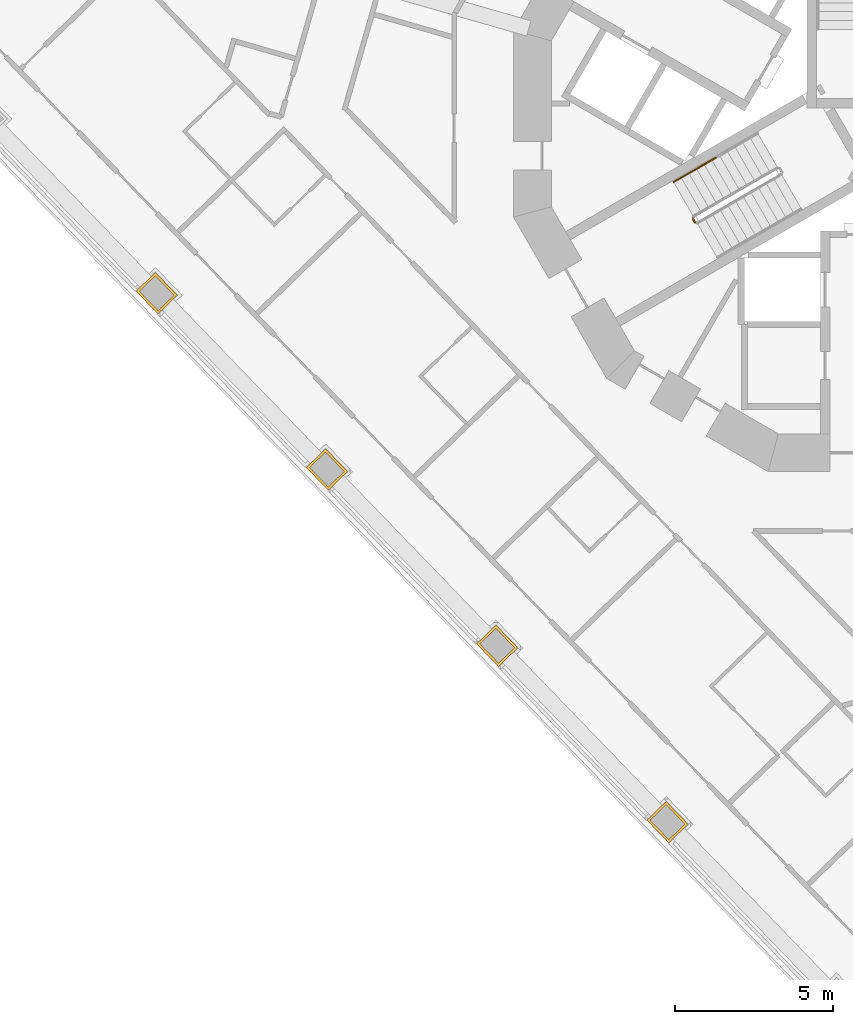
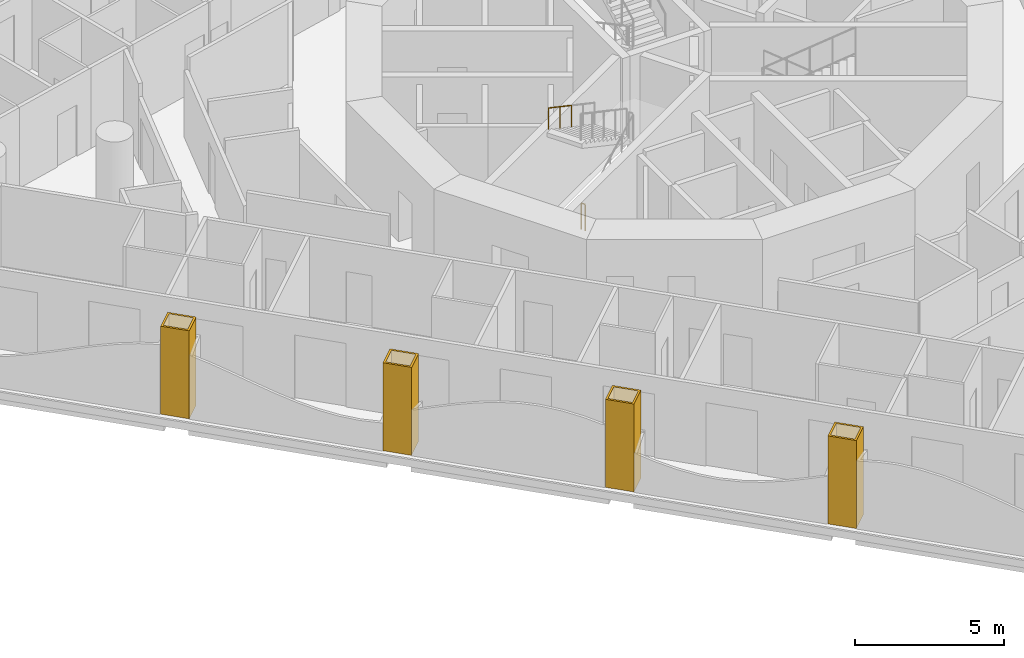
# One storey, part 13 of 20: 4 coverings, 2 railings.
"""IFC4 building model written with IfcOpenShell, lengths in metres."""

from ifc_helpers import new_model, si_unit, direction, frame, origin, origin_2d, place, context, subcontext, project, spatial, polyline, circle, outline, extrude, material, layer, layer_set, type_object, element, save


model = new_model("IFC4")

# Units and contexts
model_context = context("Model", 3, precision=1e-05, world=origin(), true_north=direction((0.0, 1.0)))
body_context = subcontext(model_context, "Body", "Model", "MODEL_VIEW")
ifc_project = project(units=[si_unit("LENGTHUNIT", "METRE"), si_unit("AREAUNIT", "SQUARE_METRE"), si_unit("VOLUMEUNIT", "CUBIC_METRE"), si_unit("PLANEANGLEUNIT", "RADIAN"), si_unit("MASSUNIT", "GRAM", prefix="KILO")], contexts=[model_context])

# Site, building, storey
site_placement = place(None, origin())
site = spatial("IfcSite", under=ifc_project, at=site_placement, CompositionType="ELEMENT")
building_placement = place(site_placement, origin())
building = spatial("IfcBuilding", under=site, at=building_placement, Name="Trine Commons Tower", CompositionType="ELEMENT")
storey_placement = place(building_placement, frame((0.0, 0.0, 112.5)))
storey = spatial("IfcBuildingStorey", under=building, at=storey_placement, Name="L28", CompositionType="ELEMENT", Elevation=112.5)

# Coverings
ifc_material_1 = material(Name="Limestone, honed", Category="masonry")
ifc_layer = layer(ifc_material_1, 0.074951171875)
ifc_layer_set = layer_set([ifc_layer], Name="Limestone, honed")
covering_type = type_object("IfcCoveringType", Name="Limestone column cladding 75", PredefinedType="CLADDING", material=ifc_layer_set)
covering_1_placement = place(storey_placement, origin())
element("IfcCovering", 1, at=covering_1_placement, inside=storey, type_object=covering_type, Name="Limestone pier cladding 3-03", PredefinedType="CLADDING", context=body_context, shape_type="SweptSolid", body=[
    extrude(outline(polyline([(73.8212890625, 41.0517578125), (73.209716796875, 40.461181640625), (73.904296875, 39.741943359375), (74.515869140625, 40.33251953125), (73.8212890625, 41.0517578125)]), holes=[polyline([(73.8193359375, 40.945556640625), (73.31591796875, 40.45947265625), (73.90625, 39.847900390625), (74.409912109375, 40.334228515625), (73.8193359375, 40.945556640625)])]), origin(), (0.0, 0.0, 1.0), 3.60009765625),
])
covering_2_placement = place(storey_placement, origin())
element("IfcCovering", 2, at=covering_2_placement, inside=storey, type_object=covering_type, Name="Limestone pier cladding 3-04", PredefinedType="CLADDING", context=body_context, shape_type="SweptSolid", body=[
    extrude(outline(polyline([(68.432373046875, 46.632080078125), (67.82080078125, 46.04150390625), (68.515380859375, 45.322265625), (69.126953125, 45.912841796875), (68.432373046875, 46.632080078125)]), holes=[polyline([(68.430419921875, 46.52587890625), (67.927001953125, 46.039794921875), (68.517333984375, 45.428466796875), (69.02099609375, 45.91455078125), (68.430419921875, 46.52587890625)])]), origin(), (0.0, 0.0, 1.0), 3.60009765625),
])
covering_3_placement = place(storey_placement, origin())
element("IfcCovering", 3, at=covering_3_placement, inside=storey, type_object=covering_type, Name="Limestone pier cladding 3-05", PredefinedType="CLADDING", context=body_context, shape_type="SweptSolid", body=[
    extrude(outline(polyline([(63.04345703125, 52.21240234375), (62.431884765625, 51.6220703125), (63.126708984375, 50.902587890625), (63.738037109375, 51.4931640625), (63.04345703125, 52.21240234375)]), holes=[polyline([(63.04150390625, 52.1064453125), (62.5380859375, 51.6201171875), (63.12841796875, 51.0087890625), (63.632080078125, 51.4951171875), (63.04150390625, 52.1064453125)])]), origin(), (0.0, 0.0, 1.0), 3.60009765625),
])
covering_4_placement = place(storey_placement, origin())
element("IfcCovering", 4, at=covering_4_placement, inside=storey, type_object=covering_type, Name="Limestone pier cladding 3-06", PredefinedType="CLADDING", context=body_context, shape_type="SweptSolid", body=[
    extrude(outline(polyline([(57.654296875, 57.792724609375), (57.04296875, 57.202392578125), (57.737548828125, 56.48291015625), (58.34912109375, 57.073486328125), (57.654296875, 57.792724609375)]), holes=[polyline([(57.652587890625, 57.686767578125), (57.14892578125, 57.200439453125), (57.739501953125, 56.589111328125), (58.242919921875, 57.0751953125), (57.652587890625, 57.686767578125)])]), origin(), (0.0, 0.0, 1.0), 3.60009765625),
])

# Railings
ifc_material_2 = material(Name="Stainless steel balustrade", Category="steel")
railing_type_1 = type_object("IfcRailingType", Name="Stair guard, steel balustrade 1100", PredefinedType="GUARDRAIL", material=ifc_material_2)
railing_1_placement = place(storey_placement, frame((74.73681640625, 59.374755859375, 0.0)))
element("IfcRailing", 5, at=railing_1_placement, inside=storey, type_object=railing_type_1, Name="L28 ST2A stair guard 4", PredefinedType="GUARDRAIL", context=body_context, shape_type="SweptSolid", body=[
    extrude(circle(Radius=0.02392578125, at=origin_2d()), frame((0.0, 0.0, 1.076171875), z_axis=(-0.499816412211, 0.866131372301, 0.0), x_axis=(-0.866131372301, -0.499816412211, 0.0)), (0.0, 0.0, 1.0), 0.14990234375),
    extrude(circle(Radius=0.02099609375, at=origin_2d()), origin(), (0.0, 0.0, 1.0), 1.052001953125),
    extrude(circle(Radius=0.02099609375, at=origin_2d()), frame((-0.074951171875, 0.1298828125, 0.0)), (0.0, 0.0, 1.0), 1.052001953125),
])
ifc_material_3 = material(Name="Stainless steel handrail", Category="steel")
railing_type_2 = type_object("IfcRailingType", Name="Stair handrail, steel 900", PredefinedType="HANDRAIL", material=ifc_material_3)
railing_2_placement = place(storey_placement, frame((75.388916015625, 61.425537109375, 2.77490234375)))
element("IfcRailing", 6, at=railing_2_placement, inside=storey, type_object=railing_type_2, Name="L28 ST2A stair handrail 4", PredefinedType="HANDRAIL", context=body_context, shape_type="SweptSolid", body=[
    extrude(circle(Radius=0.02099609375, at=origin_2d()), frame((0.0, 0.0, 0.87890625), z_axis=(-0.763354580307, -0.440713956853, 0.472293333596), x_axis=(0.499992328818, -0.866029832698, 0.0)), (0.0, 0.0, 1.0), 1.747314453125),
    extrude(circle(Radius=0.01513671875, at=origin_2d()), origin(), (0.0, 0.0, 1.0), 0.85791015625),
    extrude(circle(Radius=0.01513671875, at=origin_2d()), frame((-0.6669921875, -0.385009765625, 0.41259765625)), (0.0, 0.0, 1.0), 0.85791015625),
    extrude(circle(Radius=0.01513671875, at=origin_2d()), frame((-1.333740234375, -0.77001953125, 0.8251953125)), (0.0, 0.0, 1.0), 0.85791015625),
])

save(model, "model.ifc")
